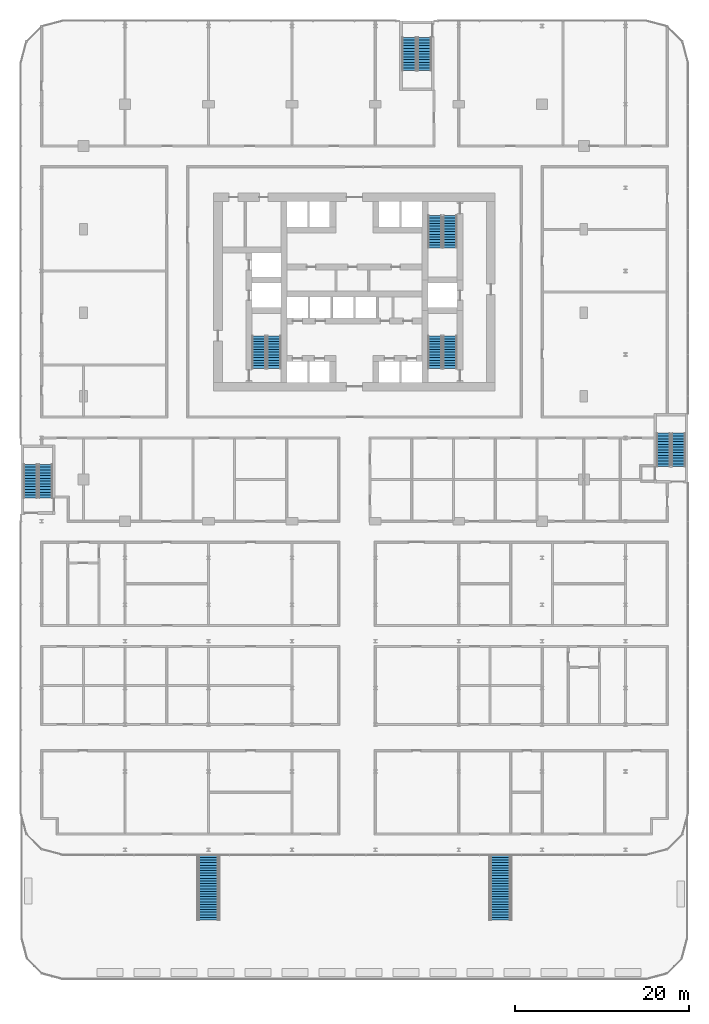
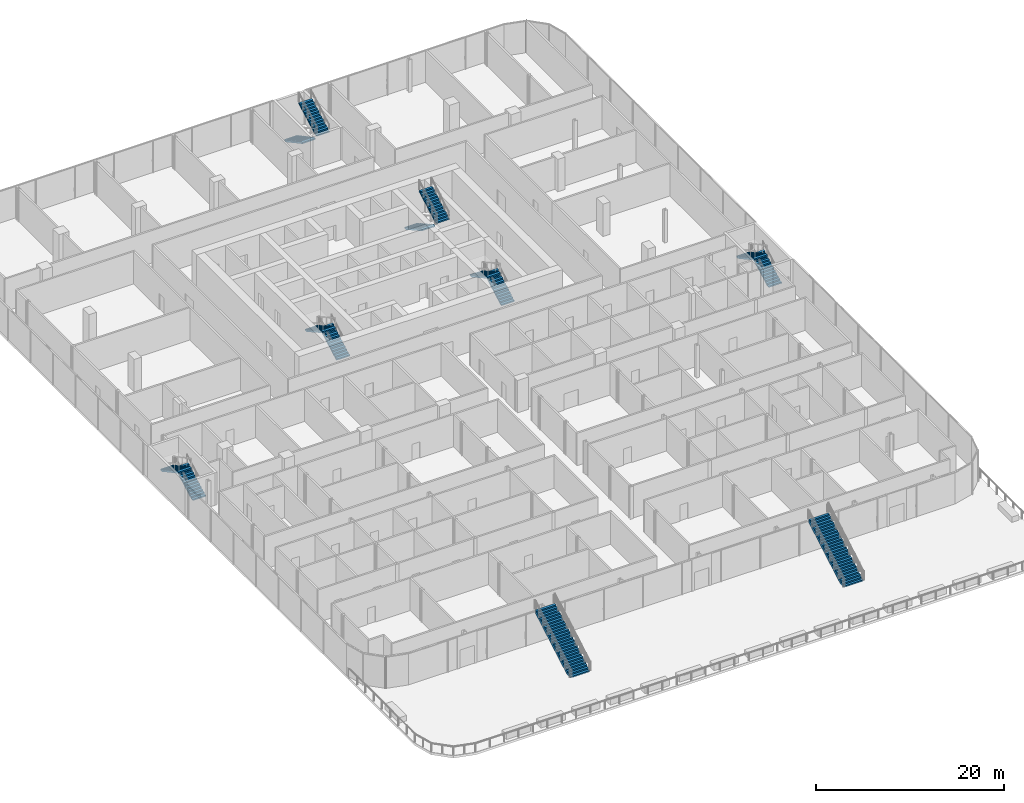
# One storey, part 38 of 45: 14 stair flights, 8 elements without a shape of their own.
"""IFC4 building model written with IfcOpenShell, lengths in metres."""

from ifc_helpers import new_model, si_unit, direction, frame, origin, place, context, subcontext, project, spatial, polyline, outline, extrude, material, type_object, element, aggregate, save


model = new_model("IFC4")

# Units and contexts
model_context = context("Model", 3, precision=1e-05, world=origin(), true_north=direction((0.0, 1.0)))
body_context = subcontext(model_context, "Body", "Model", "MODEL_VIEW")
ifc_project = project(units=[si_unit("LENGTHUNIT", "METRE"), si_unit("AREAUNIT", "SQUARE_METRE"), si_unit("VOLUMEUNIT", "CUBIC_METRE"), si_unit("PLANEANGLEUNIT", "RADIAN"), si_unit("MASSUNIT", "GRAM", prefix="KILO")], contexts=[model_context])

# Site, building, storey
site_placement = place(None, origin())
site = spatial("IfcSite", under=ifc_project, at=site_placement, CompositionType="ELEMENT")
building_placement = place(site_placement, origin())
building = spatial("IfcBuilding", under=site, at=building_placement, Name="Madar Terraces", CompositionType="ELEMENT")
storey_placement = place(building_placement, frame((0.0, 0.0, 6.0)))
storey = spatial("IfcBuildingStorey", under=building, at=storey_placement, Name="L01", CompositionType="ELEMENT", Elevation=6.0)

# Stair, stair flight
ifc_material_1 = material(Name="Concrete C40/50", Category="concrete")
stair_type_1 = type_object("IfcStairType", Name="Cascade stair 2400", PredefinedType="STRAIGHT_RUN_STAIR", material=ifc_material_1)
stair_1_placement = place(storey_placement, origin())
stair_1 = element("IfcStair", 1, at=stair_1_placement, inside=storey, type_object=stair_type_1, Name="Cascade stair L02 1", PredefinedType="STRAIGHT_RUN_STAIR")
ifc_material_2 = material(Name="Concrete C40/50", Category="concrete")
stair_flight_type_1 = type_object("IfcStairFlightType", Name="Stair flight CS1-F2, 2400 wide, 26 risers", PredefinedType="STRAIGHT", material=ifc_material_2)
stair_flight_1_placement = place(storey_placement, frame((14.39990234375, -45.89990234375, 0.0), z_axis=(0.0, 0.0, 1.0), x_axis=(0.0, 1.0, 0.0)))
stair_flight_1 = element("IfcStairFlight", 2, at=stair_flight_1_placement, type_object=stair_flight_type_1, Name="CS1 flight 1", NumberOfRisers=26, NumberOfTreads=25, PredefinedType="STRAIGHT", RiserHeight=0.173076923, TreadLength=0.3, context=body_context, shape_type="SweptSolid", body=[
    extrude(outline(polyline([(0.0, 0.0), (0.0, 0.173095703125), (0.300048828125, 0.173095703125), (0.300048828125, 0.34619140625), (0.60009765625, 0.34619140625), (0.60009765625, 0.519287109375), (0.89990234375, 0.519287109375), (0.89990234375, 0.6923828125), (1.199951171875, 0.6923828125), (1.199951171875, 0.865478515625), (1.5, 0.865478515625), (1.5, 1.03857421875), (1.800048828125, 1.03857421875), (1.800048828125, 1.21142578125), (2.10009765625, 1.21142578125), (2.10009765625, 1.384521484375), (2.39990234375, 1.384521484375), (2.39990234375, 1.5576171875), (2.699951171875, 1.5576171875), (2.699951171875, 1.730712890625), (3.0, 1.730712890625), (3.0, 1.90380859375), (3.300048828125, 1.90380859375), (3.300048828125, 2.076904296875), (3.60009765625, 2.076904296875), (3.60009765625, 2.25), (3.89990234375, 2.25), (3.89990234375, 2.423095703125), (4.199951171875, 2.423095703125), (4.199951171875, 2.59619140625), (4.5, 2.59619140625), (4.5, 2.769287109375), (4.800048828125, 2.769287109375), (4.800048828125, 2.9423828125), (5.10009765625, 2.9423828125), (5.10009765625, 3.115478515625), (5.39990234375, 3.115478515625), (5.39990234375, 3.28857421875), (5.699951171875, 3.28857421875), (5.699951171875, 3.46142578125), (6.0, 3.46142578125), (6.0, 3.634521484375), (6.300048828125, 3.634521484375), (6.300048828125, 3.8076171875), (6.60009765625, 3.8076171875), (6.60009765625, 3.980712890625), (6.89990234375, 3.980712890625), (6.89990234375, 4.15380859375), (7.199951171875, 4.15380859375), (7.199951171875, 4.326904296875), (7.5, 4.326904296875), (7.5, 4.5), (7.5, 3.9228515625), (0.70068359375, 0.0), (0.0, 0.0)])), frame((0.0, 1.199951171875, 0.0), z_axis=(0.0, -1.0, 0.0), x_axis=(1.0, 0.0, 0.0)), (0.0, 0.0, 1.0), 2.39990234375),
])
aggregate(stair_1, [stair_flight_1])

stair_2_placement = place(storey_placement, origin())
stair_2 = element("IfcStair", 3, at=stair_2_placement, inside=storey, type_object=stair_type_1, Name="Cascade stair L02 2", PredefinedType="STRAIGHT_RUN_STAIR")
stair_flight_2_placement = place(storey_placement, frame((48.0, -45.89990234375, 0.0), z_axis=(0.0, 0.0, 1.0), x_axis=(0.0, 1.0, 0.0)))
stair_flight_2 = element("IfcStairFlight", 4, at=stair_flight_2_placement, type_object=stair_flight_type_1, Name="CS1 flight 1", NumberOfRisers=26, NumberOfTreads=25, PredefinedType="STRAIGHT", RiserHeight=0.173076923, TreadLength=0.3, context=body_context, shape_type="SweptSolid", body=[
    extrude(outline(polyline([(0.0, 0.0), (0.0, 0.173095703125), (0.300048828125, 0.173095703125), (0.300048828125, 0.34619140625), (0.60009765625, 0.34619140625), (0.60009765625, 0.519287109375), (0.89990234375, 0.519287109375), (0.89990234375, 0.6923828125), (1.199951171875, 0.6923828125), (1.199951171875, 0.865478515625), (1.5, 0.865478515625), (1.5, 1.03857421875), (1.800048828125, 1.03857421875), (1.800048828125, 1.21142578125), (2.10009765625, 1.21142578125), (2.10009765625, 1.384521484375), (2.39990234375, 1.384521484375), (2.39990234375, 1.5576171875), (2.699951171875, 1.5576171875), (2.699951171875, 1.730712890625), (3.0, 1.730712890625), (3.0, 1.90380859375), (3.300048828125, 1.90380859375), (3.300048828125, 2.076904296875), (3.60009765625, 2.076904296875), (3.60009765625, 2.25), (3.89990234375, 2.25), (3.89990234375, 2.423095703125), (4.199951171875, 2.423095703125), (4.199951171875, 2.59619140625), (4.5, 2.59619140625), (4.5, 2.769287109375), (4.800048828125, 2.769287109375), (4.800048828125, 2.9423828125), (5.10009765625, 2.9423828125), (5.10009765625, 3.115478515625), (5.39990234375, 3.115478515625), (5.39990234375, 3.28857421875), (5.699951171875, 3.28857421875), (5.699951171875, 3.46142578125), (6.0, 3.46142578125), (6.0, 3.634521484375), (6.300048828125, 3.634521484375), (6.300048828125, 3.8076171875), (6.60009765625, 3.8076171875), (6.60009765625, 3.980712890625), (6.89990234375, 3.980712890625), (6.89990234375, 4.15380859375), (7.199951171875, 4.15380859375), (7.199951171875, 4.326904296875), (7.5, 4.326904296875), (7.5, 4.5), (7.5, 3.9228515625), (0.70068359375, 0.0), (0.0, 0.0)])), frame((0.0, 1.199951171875, 0.0), z_axis=(0.0, -1.0, 0.0), x_axis=(1.0, 0.0, 0.0)), (0.0, 0.0, 1.0), 2.39990234375),
])
aggregate(stair_2, [stair_flight_2])

# Stair, stair flights
ifc_material_3 = material(Name="Concrete C50/60", Category="concrete")
stair_type_2 = type_object("IfcStairType", Name="Stair PS1 protected exit", PredefinedType="HALF_TURN_STAIR", material=ifc_material_3)
stair_3_placement = place(storey_placement, origin())
stair_3 = element("IfcStair", 5, at=stair_3_placement, inside=storey, type_object=stair_type_2, Name="L01 Protected Exit Stair PS1", PredefinedType="HALF_TURN_STAIR")
ifc_material_4 = material(Name="Concrete C50/60", Category="concrete")
stair_flight_type_2 = type_object("IfcStairFlightType", Name="Stair flight PS1-F2, 1600 wide, 13 risers", PredefinedType="STRAIGHT", material=ifc_material_4)
stair_flight_3_placement = place(storey_placement, frame((-4.35009765625, 2.699951171875, 0.0), z_axis=(0.0, 0.0, 1.0), x_axis=(0.0, 1.0, 0.0)))
stair_flight_3 = element("IfcStairFlight", 6, at=stair_flight_3_placement, type_object=stair_flight_type_2, Name="PS1 flight 1", NumberOfRisers=13, NumberOfTreads=12, PredefinedType="STRAIGHT", RiserHeight=0.173076923, TreadLength=0.32, context=body_context, shape_type="SweptSolid", body=[
    extrude(outline(polyline([(0.0, 0.0), (0.0, 0.173095703125), (0.320068359375, 0.173095703125), (0.320068359375, 0.34619140625), (0.639892578125, 0.34619140625), (0.639892578125, 0.519287109375), (0.9599609375, 0.519287109375), (0.9599609375, 0.6923828125), (1.280029296875, 0.6923828125), (1.280029296875, 0.865478515625), (1.60009765625, 0.865478515625), (1.60009765625, 1.03857421875), (1.919921875, 1.03857421875), (1.919921875, 1.21142578125), (2.239990234375, 1.21142578125), (2.239990234375, 1.384521484375), (2.56005859375, 1.384521484375), (2.56005859375, 1.5576171875), (2.8798828125, 1.5576171875), (2.8798828125, 1.730712890625), (3.199951171875, 1.730712890625), (3.199951171875, 1.90380859375), (3.52001953125, 1.90380859375), (3.52001953125, 2.076904296875), (3.840087890625, 2.076904296875), (3.840087890625, 2.25), (3.840087890625, 1.906494140625), (0.315185546875, 0.0), (0.0, 0.0)])), frame((0.0, 0.800048828125, 0.0), z_axis=(0.0, -1.0, 0.0), x_axis=(1.0, 0.0, 0.0)), (0.0, 0.0, 1.0), 1.60009765625),
])
stair_flight_4_placement = place(storey_placement, frame((-6.10009765625, 6.5400390625, 2.25), z_axis=(0.0, 0.0, 1.0), x_axis=(0.0, -1.0, 0.0)))
stair_flight_4 = element("IfcStairFlight", 7, at=stair_flight_4_placement, type_object=stair_flight_type_2, Name="PS1 flight 2", NumberOfRisers=13, NumberOfTreads=12, PredefinedType="STRAIGHT", RiserHeight=0.173076923, TreadLength=0.32, context=body_context, shape_type="SweptSolid", body=[
    extrude(outline(polyline([(0.0, 0.0), (0.0, 0.173095703125), (0.320068359375, 0.173095703125), (0.320068359375, 0.34619140625), (0.639892578125, 0.34619140625), (0.639892578125, 0.519287109375), (0.9599609375, 0.519287109375), (0.9599609375, 0.6923828125), (1.280029296875, 0.6923828125), (1.280029296875, 0.865478515625), (1.60009765625, 0.865478515625), (1.60009765625, 1.03857421875), (1.919921875, 1.03857421875), (1.919921875, 1.21142578125), (2.239990234375, 1.21142578125), (2.239990234375, 1.384521484375), (2.56005859375, 1.384521484375), (2.56005859375, 1.5576171875), (2.8798828125, 1.5576171875), (2.8798828125, 1.730712890625), (3.199951171875, 1.730712890625), (3.199951171875, 1.90380859375), (3.52001953125, 1.90380859375), (3.52001953125, 2.076904296875), (3.840087890625, 2.076904296875), (3.840087890625, 2.25), (3.840087890625, 1.906494140625), (0.315185546875, 0.0), (0.0, 0.0)])), frame((0.0, 0.800048828125, 0.0), z_axis=(0.0, -1.0, 0.0), x_axis=(1.0, 0.0, 0.0)), (0.0, 0.0, 1.0), 1.60009765625),
])
aggregate(stair_3, [stair_flight_3, stair_flight_4])

ifc_material_5 = material(Name="Concrete C50/60", Category="concrete")
stair_type_3 = type_object("IfcStairType", Name="Stair PS2 protected exit", PredefinedType="HALF_TURN_STAIR", material=ifc_material_5)
stair_4_placement = place(storey_placement, origin())
stair_4 = element("IfcStair", 8, at=stair_4_placement, inside=storey, type_object=stair_type_3, Name="L01 Protected Exit Stair PS2", PredefinedType="HALF_TURN_STAIR")
ifc_material_6 = material(Name="Concrete C50/60", Category="concrete")
stair_flight_type_3 = type_object("IfcStairFlightType", Name="Stair flight PS2-F2, 1600 wide, 13 risers", PredefinedType="STRAIGHT", material=ifc_material_6)
stair_flight_5_placement = place(storey_placement, frame((37.5, 55.699951171875, 0.0), z_axis=(0.0, 0.0, 1.0), x_axis=(0.0, -1.0, 0.0)))
stair_flight_5 = element("IfcStairFlight", 9, at=stair_flight_5_placement, type_object=stair_flight_type_3, Name="PS2 flight 1", NumberOfRisers=13, NumberOfTreads=12, PredefinedType="STRAIGHT", RiserHeight=0.173076923, TreadLength=0.32, context=body_context, shape_type="SweptSolid", body=[
    extrude(outline(polyline([(0.0, 0.0), (0.0, 0.173095703125), (0.320068359375, 0.173095703125), (0.320068359375, 0.34619140625), (0.639892578125, 0.34619140625), (0.639892578125, 0.519287109375), (0.9599609375, 0.519287109375), (0.9599609375, 0.6923828125), (1.280029296875, 0.6923828125), (1.280029296875, 0.865478515625), (1.60009765625, 0.865478515625), (1.60009765625, 1.03857421875), (1.919921875, 1.03857421875), (1.919921875, 1.21142578125), (2.239990234375, 1.21142578125), (2.239990234375, 1.384521484375), (2.56005859375, 1.384521484375), (2.56005859375, 1.5576171875), (2.8798828125, 1.5576171875), (2.8798828125, 1.730712890625), (3.199951171875, 1.730712890625), (3.199951171875, 1.90380859375), (3.52001953125, 1.90380859375), (3.52001953125, 2.076904296875), (3.840087890625, 2.076904296875), (3.840087890625, 2.25), (3.840087890625, 1.906494140625), (0.315185546875, 0.0), (0.0, 0.0)])), frame((0.0, 0.800048828125, 0.0), z_axis=(0.0, -1.0, 0.0), x_axis=(1.0, 0.0, 0.0)), (0.0, 0.0, 1.0), 1.60009765625),
])
stair_flight_6_placement = place(storey_placement, frame((39.25, 51.860107421875, 2.25), z_axis=(0.0, 0.0, 1.0), x_axis=(0.0, 1.0, 0.0)))
stair_flight_6 = element("IfcStairFlight", 10, at=stair_flight_6_placement, type_object=stair_flight_type_3, Name="PS2 flight 2", NumberOfRisers=13, NumberOfTreads=12, PredefinedType="STRAIGHT", RiserHeight=0.173076923, TreadLength=0.32, context=body_context, shape_type="SweptSolid", body=[
    extrude(outline(polyline([(0.0, 0.0), (0.0, 0.173095703125), (0.320068359375, 0.173095703125), (0.320068359375, 0.34619140625), (0.639892578125, 0.34619140625), (0.639892578125, 0.519287109375), (0.9599609375, 0.519287109375), (0.9599609375, 0.6923828125), (1.280029296875, 0.6923828125), (1.280029296875, 0.865478515625), (1.60009765625, 0.865478515625), (1.60009765625, 1.03857421875), (1.919921875, 1.03857421875), (1.919921875, 1.21142578125), (2.239990234375, 1.21142578125), (2.239990234375, 1.384521484375), (2.56005859375, 1.384521484375), (2.56005859375, 1.5576171875), (2.8798828125, 1.5576171875), (2.8798828125, 1.730712890625), (3.199951171875, 1.730712890625), (3.199951171875, 1.90380859375), (3.52001953125, 1.90380859375), (3.52001953125, 2.076904296875), (3.840087890625, 2.076904296875), (3.840087890625, 2.25), (3.840087890625, 1.906494140625), (0.315185546875, 0.0), (0.0, 0.0)])), frame((0.0, 0.800048828125, 0.0), z_axis=(0.0, -1.0, 0.0), x_axis=(1.0, 0.0, 0.0)), (0.0, 0.0, 1.0), 1.60009765625),
])
aggregate(stair_4, [stair_flight_5, stair_flight_6])

ifc_material_7 = material(Name="Concrete C50/60", Category="concrete")
stair_type_4 = type_object("IfcStairType", Name="Stair PS3 protected exit", PredefinedType="HALF_TURN_STAIR", material=ifc_material_7)
stair_5_placement = place(storey_placement, origin())
stair_5 = element("IfcStair", 11, at=stair_5_placement, inside=storey, type_object=stair_type_4, Name="L01 Protected Exit Stair PS3", PredefinedType="HALF_TURN_STAIR")
ifc_material_8 = material(Name="Concrete C50/60", Category="concrete")
stair_flight_type_4 = type_object("IfcStairFlightType", Name="Stair flight PS3-F2, 1600 wide, 13 risers", PredefinedType="STRAIGHT", material=ifc_material_8)
stair_flight_7_placement = place(storey_placement, frame((68.5, 6.300048828125, 0.0), z_axis=(0.0, 0.0, 1.0), x_axis=(0.0, 1.0, 0.0)))
stair_flight_7 = element("IfcStairFlight", 12, at=stair_flight_7_placement, type_object=stair_flight_type_4, Name="PS3 flight 1", NumberOfRisers=13, NumberOfTreads=12, PredefinedType="STRAIGHT", RiserHeight=0.173076923, TreadLength=0.32, context=body_context, shape_type="SweptSolid", body=[
    extrude(outline(polyline([(0.0, 0.0), (0.0, 0.173095703125), (0.320068359375, 0.173095703125), (0.320068359375, 0.34619140625), (0.639892578125, 0.34619140625), (0.639892578125, 0.519287109375), (0.9599609375, 0.519287109375), (0.9599609375, 0.6923828125), (1.280029296875, 0.6923828125), (1.280029296875, 0.865478515625), (1.60009765625, 0.865478515625), (1.60009765625, 1.03857421875), (1.919921875, 1.03857421875), (1.919921875, 1.21142578125), (2.239990234375, 1.21142578125), (2.239990234375, 1.384521484375), (2.56005859375, 1.384521484375), (2.56005859375, 1.5576171875), (2.8798828125, 1.5576171875), (2.8798828125, 1.730712890625), (3.199951171875, 1.730712890625), (3.199951171875, 1.90380859375), (3.52001953125, 1.90380859375), (3.52001953125, 2.076904296875), (3.840087890625, 2.076904296875), (3.840087890625, 2.25), (3.840087890625, 1.906494140625), (0.315185546875, 0.0), (0.0, 0.0)])), frame((0.0, 0.800048828125, 0.0), z_axis=(0.0, -1.0, 0.0), x_axis=(1.0, 0.0, 0.0)), (0.0, 0.0, 1.0), 1.60009765625),
])
stair_flight_8_placement = place(storey_placement, frame((66.75, 10.139892578125, 2.25), z_axis=(0.0, 0.0, 1.0), x_axis=(0.0, -1.0, 0.0)))
stair_flight_8 = element("IfcStairFlight", 13, at=stair_flight_8_placement, type_object=stair_flight_type_4, Name="PS3 flight 2", NumberOfRisers=13, NumberOfTreads=12, PredefinedType="STRAIGHT", RiserHeight=0.173076923, TreadLength=0.32, context=body_context, shape_type="SweptSolid", body=[
    extrude(outline(polyline([(0.0, 0.0), (0.0, 0.173095703125), (0.320068359375, 0.173095703125), (0.320068359375, 0.34619140625), (0.639892578125, 0.34619140625), (0.639892578125, 0.519287109375), (0.9599609375, 0.519287109375), (0.9599609375, 0.6923828125), (1.280029296875, 0.6923828125), (1.280029296875, 0.865478515625), (1.60009765625, 0.865478515625), (1.60009765625, 1.03857421875), (1.919921875, 1.03857421875), (1.919921875, 1.21142578125), (2.239990234375, 1.21142578125), (2.239990234375, 1.384521484375), (2.56005859375, 1.384521484375), (2.56005859375, 1.5576171875), (2.8798828125, 1.5576171875), (2.8798828125, 1.730712890625), (3.199951171875, 1.730712890625), (3.199951171875, 1.90380859375), (3.52001953125, 1.90380859375), (3.52001953125, 2.076904296875), (3.840087890625, 2.076904296875), (3.840087890625, 2.25), (3.840087890625, 1.906494140625), (0.315185546875, 0.0), (0.0, 0.0)])), frame((0.0, 0.800048828125, 0.0), z_axis=(0.0, -1.0, 0.0), x_axis=(1.0, 0.0, 0.0)), (0.0, 0.0, 1.0), 1.60009765625),
])
aggregate(stair_5, [stair_flight_7, stair_flight_8])

ifc_material_9 = material(Name="Concrete C50/60", Category="concrete")
stair_type_5 = type_object("IfcStairType", Name="Stair ST1 protected exit", PredefinedType="HALF_TURN_STAIR", material=ifc_material_9)
stair_6_placement = place(storey_placement, origin())
stair_6 = element("IfcStair", 14, at=stair_6_placement, inside=storey, type_object=stair_type_5, Name="L01 Protected Exit Stair ST1", PredefinedType="HALF_TURN_STAIR")
ifc_material_10 = material(Name="Concrete C50/60", Category="concrete")
stair_flight_type_5 = type_object("IfcStairFlightType", Name="Stair flight ST1-F2, 1600 wide, 13 risers", PredefinedType="STRAIGHT", material=ifc_material_10)
stair_flight_9_placement = place(storey_placement, frame((21.949951171875, 17.60009765625, 0.0), z_axis=(0.0, 0.0, 1.0), x_axis=(0.0, 1.0, 0.0)))
stair_flight_9 = element("IfcStairFlight", 15, at=stair_flight_9_placement, type_object=stair_flight_type_5, Name="ST1 flight 1", NumberOfRisers=13, NumberOfTreads=12, PredefinedType="STRAIGHT", RiserHeight=0.173076923, TreadLength=0.31, context=body_context, shape_type="SweptSolid", body=[
    extrude(outline(polyline([(0.0, 0.0), (0.0, 0.173095703125), (0.31005859375, 0.173095703125), (0.31005859375, 0.34619140625), (0.6201171875, 0.34619140625), (0.6201171875, 0.519287109375), (0.929931640625, 0.519287109375), (0.929931640625, 0.6923828125), (1.239990234375, 0.6923828125), (1.239990234375, 0.865478515625), (1.550048828125, 0.865478515625), (1.550048828125, 1.03857421875), (1.860107421875, 1.03857421875), (1.860107421875, 1.21142578125), (2.169921875, 1.21142578125), (2.169921875, 1.384521484375), (2.47998046875, 1.384521484375), (2.47998046875, 1.5576171875), (2.7900390625, 1.5576171875), (2.7900390625, 1.730712890625), (3.10009765625, 1.730712890625), (3.10009765625, 1.90380859375), (3.409912109375, 1.90380859375), (3.409912109375, 2.076904296875), (3.719970703125, 2.076904296875), (3.719970703125, 2.25), (3.719970703125, 1.9052734375), (0.3076171875, 0.0), (0.0, 0.0)])), frame((0.0, 0.800048828125, 0.0), z_axis=(0.0, -1.0, 0.0), x_axis=(1.0, 0.0, 0.0)), (0.0, 0.0, 1.0), 1.60009765625),
])
stair_flight_10_placement = place(storey_placement, frame((20.199951171875, 21.320068359375, 2.25), z_axis=(0.0, 0.0, 1.0), x_axis=(0.0, -1.0, 0.0)))
stair_flight_10 = element("IfcStairFlight", 16, at=stair_flight_10_placement, type_object=stair_flight_type_5, Name="ST1 flight 2", NumberOfRisers=13, NumberOfTreads=12, PredefinedType="STRAIGHT", RiserHeight=0.173076923, TreadLength=0.31, context=body_context, shape_type="SweptSolid", body=[
    extrude(outline(polyline([(0.0, 0.0), (0.0, 0.173095703125), (0.31005859375, 0.173095703125), (0.31005859375, 0.34619140625), (0.6201171875, 0.34619140625), (0.6201171875, 0.519287109375), (0.929931640625, 0.519287109375), (0.929931640625, 0.6923828125), (1.239990234375, 0.6923828125), (1.239990234375, 0.865478515625), (1.550048828125, 0.865478515625), (1.550048828125, 1.03857421875), (1.860107421875, 1.03857421875), (1.860107421875, 1.21142578125), (2.169921875, 1.21142578125), (2.169921875, 1.384521484375), (2.47998046875, 1.384521484375), (2.47998046875, 1.5576171875), (2.7900390625, 1.5576171875), (2.7900390625, 1.730712890625), (3.10009765625, 1.730712890625), (3.10009765625, 1.90380859375), (3.409912109375, 1.90380859375), (3.409912109375, 2.076904296875), (3.719970703125, 2.076904296875), (3.719970703125, 2.25), (3.719970703125, 1.9052734375), (0.3076171875, 0.0), (0.0, 0.0)])), frame((0.0, 0.800048828125, 0.0), z_axis=(0.0, -1.0, 0.0), x_axis=(1.0, 0.0, 0.0)), (0.0, 0.0, 1.0), 1.60009765625),
])
aggregate(stair_6, [stair_flight_9, stair_flight_10])

ifc_material_11 = material(Name="Concrete C50/60", Category="concrete")
stair_type_6 = type_object("IfcStairType", Name="Stair ST2 protected exit", PredefinedType="HALF_TURN_STAIR", material=ifc_material_11)
stair_7_placement = place(storey_placement, origin())
stair_7 = element("IfcStair", 17, at=stair_7_placement, inside=storey, type_object=stair_type_6, Name="L01 Protected Exit Stair ST2", PredefinedType="HALF_TURN_STAIR")
ifc_material_12 = material(Name="Concrete C50/60", Category="concrete")
stair_flight_type_6 = type_object("IfcStairFlightType", Name="Stair flight ST2-F2, 1600 wide, 13 risers", PredefinedType="STRAIGHT", material=ifc_material_12)
stair_flight_11_placement = place(storey_placement, frame((40.449951171875, 35.199951171875, 0.0), z_axis=(0.0, 0.0, 1.0), x_axis=(0.0, -1.0, 0.0)))
stair_flight_11 = element("IfcStairFlight", 18, at=stair_flight_11_placement, type_object=stair_flight_type_6, Name="ST2 flight 1", NumberOfRisers=13, NumberOfTreads=12, PredefinedType="STRAIGHT", RiserHeight=0.173076923, TreadLength=0.31, context=body_context, shape_type="SweptSolid", body=[
    extrude(outline(polyline([(0.0, 0.0), (0.0, 0.173095703125), (0.31005859375, 0.173095703125), (0.31005859375, 0.34619140625), (0.6201171875, 0.34619140625), (0.6201171875, 0.519287109375), (0.929931640625, 0.519287109375), (0.929931640625, 0.6923828125), (1.239990234375, 0.6923828125), (1.239990234375, 0.865478515625), (1.550048828125, 0.865478515625), (1.550048828125, 1.03857421875), (1.860107421875, 1.03857421875), (1.860107421875, 1.21142578125), (2.169921875, 1.21142578125), (2.169921875, 1.384521484375), (2.47998046875, 1.384521484375), (2.47998046875, 1.5576171875), (2.7900390625, 1.5576171875), (2.7900390625, 1.730712890625), (3.10009765625, 1.730712890625), (3.10009765625, 1.90380859375), (3.409912109375, 1.90380859375), (3.409912109375, 2.076904296875), (3.719970703125, 2.076904296875), (3.719970703125, 2.25), (3.719970703125, 1.9052734375), (0.3076171875, 0.0), (0.0, 0.0)])), frame((0.0, 0.800048828125, 0.0), z_axis=(0.0, -1.0, 0.0), x_axis=(1.0, 0.0, 0.0)), (0.0, 0.0, 1.0), 1.60009765625),
])
stair_flight_12_placement = place(storey_placement, frame((42.199951171875, 31.47998046875, 2.25), z_axis=(0.0, 0.0, 1.0), x_axis=(0.0, 1.0, 0.0)))
stair_flight_12 = element("IfcStairFlight", 19, at=stair_flight_12_placement, type_object=stair_flight_type_6, Name="ST2 flight 2", NumberOfRisers=13, NumberOfTreads=12, PredefinedType="STRAIGHT", RiserHeight=0.173076923, TreadLength=0.31, context=body_context, shape_type="SweptSolid", body=[
    extrude(outline(polyline([(0.0, 0.0), (0.0, 0.173095703125), (0.31005859375, 0.173095703125), (0.31005859375, 0.34619140625), (0.6201171875, 0.34619140625), (0.6201171875, 0.519287109375), (0.929931640625, 0.519287109375), (0.929931640625, 0.6923828125), (1.239990234375, 0.6923828125), (1.239990234375, 0.865478515625), (1.550048828125, 0.865478515625), (1.550048828125, 1.03857421875), (1.860107421875, 1.03857421875), (1.860107421875, 1.21142578125), (2.169921875, 1.21142578125), (2.169921875, 1.384521484375), (2.47998046875, 1.384521484375), (2.47998046875, 1.5576171875), (2.7900390625, 1.5576171875), (2.7900390625, 1.730712890625), (3.10009765625, 1.730712890625), (3.10009765625, 1.90380859375), (3.409912109375, 1.90380859375), (3.409912109375, 2.076904296875), (3.719970703125, 2.076904296875), (3.719970703125, 2.25), (3.719970703125, 1.9052734375), (0.3076171875, 0.0), (0.0, 0.0)])), frame((0.0, 0.800048828125, 0.0), z_axis=(0.0, -1.0, 0.0), x_axis=(1.0, 0.0, 0.0)), (0.0, 0.0, 1.0), 1.60009765625),
])
aggregate(stair_7, [stair_flight_11, stair_flight_12])

ifc_material_13 = material(Name="Concrete C50/60", Category="concrete")
stair_type_7 = type_object("IfcStairType", Name="Stair ST3 protected exit", PredefinedType="HALF_TURN_STAIR", material=ifc_material_13)
stair_8_placement = place(storey_placement, origin())
stair_8 = element("IfcStair", 20, at=stair_8_placement, inside=storey, type_object=stair_type_7, Name="L01 Protected Exit Stair ST3", PredefinedType="HALF_TURN_STAIR")
ifc_material_14 = material(Name="Concrete C50/60", Category="concrete")
stair_flight_type_7 = type_object("IfcStairFlightType", Name="Stair flight ST3-F2, 1600 wide, 13 risers", PredefinedType="STRAIGHT", material=ifc_material_14)
stair_flight_13_placement = place(storey_placement, frame((42.199951171875, 17.60009765625, 0.0), z_axis=(0.0, 0.0, 1.0), x_axis=(0.0, 1.0, 0.0)))
stair_flight_13 = element("IfcStairFlight", 21, at=stair_flight_13_placement, type_object=stair_flight_type_7, Name="ST3 flight 1", NumberOfRisers=13, NumberOfTreads=12, PredefinedType="STRAIGHT", RiserHeight=0.173076923, TreadLength=0.31, context=body_context, shape_type="SweptSolid", body=[
    extrude(outline(polyline([(0.0, 0.0), (0.0, 0.173095703125), (0.31005859375, 0.173095703125), (0.31005859375, 0.34619140625), (0.6201171875, 0.34619140625), (0.6201171875, 0.519287109375), (0.929931640625, 0.519287109375), (0.929931640625, 0.6923828125), (1.239990234375, 0.6923828125), (1.239990234375, 0.865478515625), (1.550048828125, 0.865478515625), (1.550048828125, 1.03857421875), (1.860107421875, 1.03857421875), (1.860107421875, 1.21142578125), (2.169921875, 1.21142578125), (2.169921875, 1.384521484375), (2.47998046875, 1.384521484375), (2.47998046875, 1.5576171875), (2.7900390625, 1.5576171875), (2.7900390625, 1.730712890625), (3.10009765625, 1.730712890625), (3.10009765625, 1.90380859375), (3.409912109375, 1.90380859375), (3.409912109375, 2.076904296875), (3.719970703125, 2.076904296875), (3.719970703125, 2.25), (3.719970703125, 1.9052734375), (0.3076171875, 0.0), (0.0, 0.0)])), frame((0.0, 0.800048828125, 0.0), z_axis=(0.0, -1.0, 0.0), x_axis=(1.0, 0.0, 0.0)), (0.0, 0.0, 1.0), 1.60009765625),
])
stair_flight_14_placement = place(storey_placement, frame((40.449951171875, 21.320068359375, 2.25), z_axis=(0.0, 0.0, 1.0), x_axis=(0.0, -1.0, 0.0)))
stair_flight_14 = element("IfcStairFlight", 22, at=stair_flight_14_placement, type_object=stair_flight_type_7, Name="ST3 flight 2", NumberOfRisers=13, NumberOfTreads=12, PredefinedType="STRAIGHT", RiserHeight=0.173076923, TreadLength=0.31, context=body_context, shape_type="SweptSolid", body=[
    extrude(outline(polyline([(0.0, 0.0), (0.0, 0.173095703125), (0.31005859375, 0.173095703125), (0.31005859375, 0.34619140625), (0.6201171875, 0.34619140625), (0.6201171875, 0.519287109375), (0.929931640625, 0.519287109375), (0.929931640625, 0.6923828125), (1.239990234375, 0.6923828125), (1.239990234375, 0.865478515625), (1.550048828125, 0.865478515625), (1.550048828125, 1.03857421875), (1.860107421875, 1.03857421875), (1.860107421875, 1.21142578125), (2.169921875, 1.21142578125), (2.169921875, 1.384521484375), (2.47998046875, 1.384521484375), (2.47998046875, 1.5576171875), (2.7900390625, 1.5576171875), (2.7900390625, 1.730712890625), (3.10009765625, 1.730712890625), (3.10009765625, 1.90380859375), (3.409912109375, 1.90380859375), (3.409912109375, 2.076904296875), (3.719970703125, 2.076904296875), (3.719970703125, 2.25), (3.719970703125, 1.9052734375), (0.3076171875, 0.0), (0.0, 0.0)])), frame((0.0, 0.800048828125, 0.0), z_axis=(0.0, -1.0, 0.0), x_axis=(1.0, 0.0, 0.0)), (0.0, 0.0, 1.0), 1.60009765625),
])
aggregate(stair_8, [stair_flight_13, stair_flight_14])

save(model, "model.ifc")
